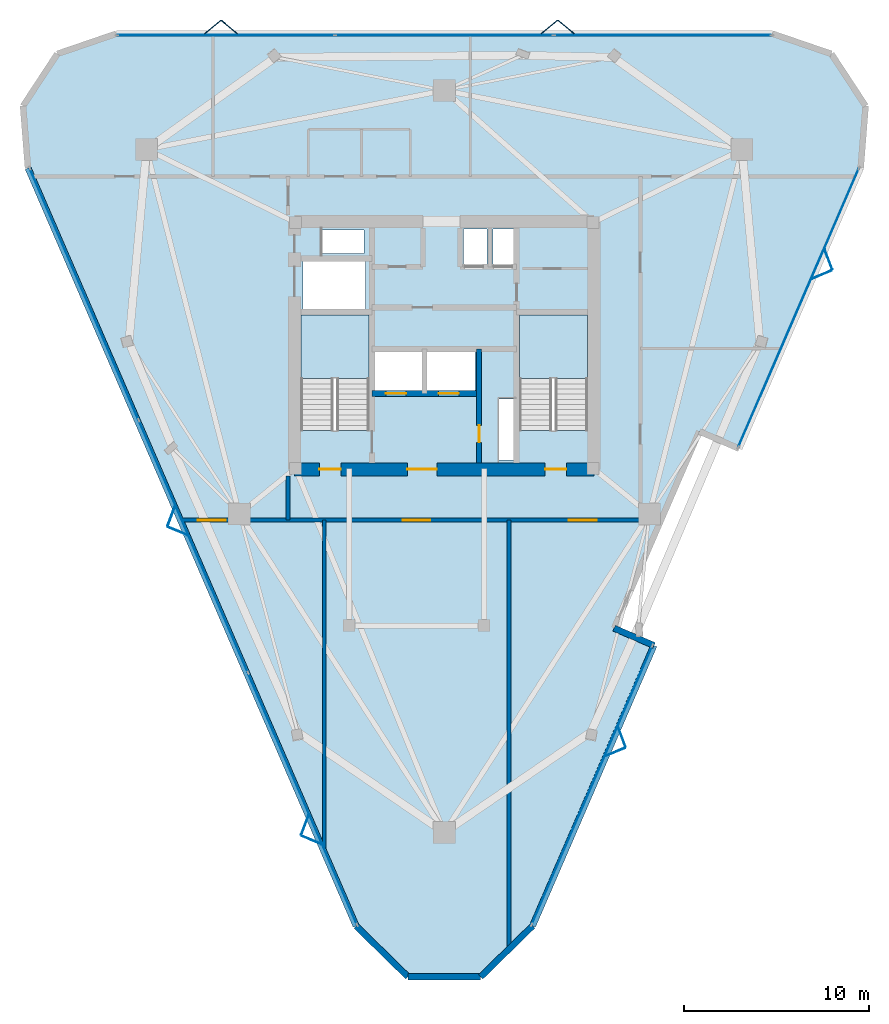
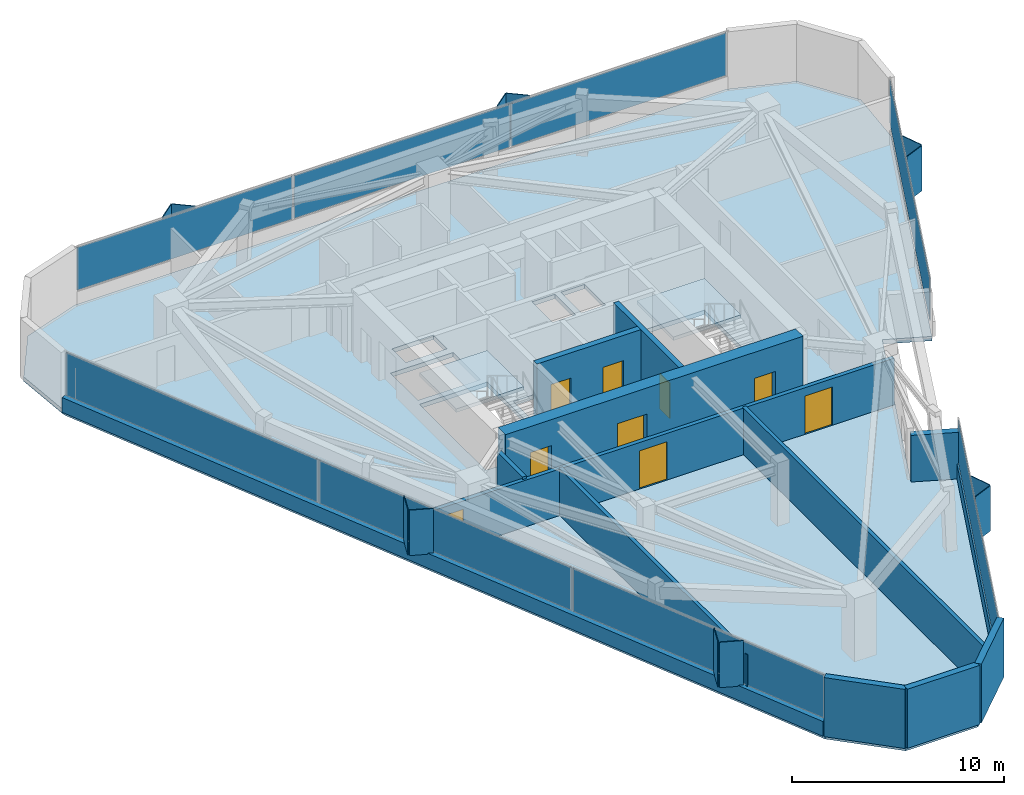
# One storey, part 7 of 10: 20 plates, 13 walls, 9 doors, 3 slabs, 9 openings, 6 elements without a shape of their own.
"""IFC4 building model written with IfcOpenShell, lengths in metres."""

from ifc_helpers import new_model, si_unit, direction, frame, frame_2d, origin, origin_2d, place, context, subcontext, project, spatial, polyline, rectangle, outline, extrude, material, layer, layer_set, type_object, element, fill, aggregate, save


model = new_model("IFC4")

# Units and contexts
model_context = context("Model", 3, precision=1e-05, world=origin(), true_north=direction((0.0, 1.0)))
body_context = subcontext(model_context, "Body", "Model", "MODEL_VIEW")
ifc_project = project(units=[si_unit("LENGTHUNIT", "METRE"), si_unit("AREAUNIT", "SQUARE_METRE"), si_unit("VOLUMEUNIT", "CUBIC_METRE"), si_unit("PLANEANGLEUNIT", "RADIAN"), si_unit("MASSUNIT", "GRAM", prefix="KILO")], contexts=[model_context])

# Site, building, storey
site_placement = place(None, origin())
site = spatial("IfcSite", under=ifc_project, at=site_placement, CompositionType="ELEMENT")
building_placement = place(site_placement, origin())
building = spatial("IfcBuilding", under=site, at=building_placement, Name="Talyreon Biosciences Tower", CompositionType="ELEMENT")
storey_placement = place(building_placement, frame((0.0, 0.0, 260.800048828125)))
storey = spatial("IfcBuildingStorey", under=building, at=storey_placement, Name="L69", CompositionType="ELEMENT", Elevation=260.800048828125)

# Curtain wall, plates
ifc_material_1 = material(Name="Thermally broken aluminium and low-E glazing", Category="aluminium")
ifc_layer_1 = layer(ifc_material_1, 0.205078125)
ifc_layer_set_1 = layer_set([ifc_layer_1], Name="Thermally broken aluminium and low-E glazing")
curtain_wall_type = type_object("IfcCurtainWallType", Name="CurtainWall_SkyGardenLoggia", PredefinedType="NOTDEFINED", material=ifc_layer_set_1)
curtain_wall_1_placement = place(storey_placement, origin())
curtain_wall_1 = element("IfcCurtainWall", 1, at=curtain_wall_1_placement, inside=storey, type_object=curtain_wall_type, Name="L69 Unitised Curtain Wall FCW-L69-03", PredefinedType="NOTDEFINED")
ifc_material_2 = material(Name="Acoustic laminated low-E insulated glazing", Category="glass")
ifc_layer_2 = layer(ifc_material_2, 0.0380859375)
ifc_layer_set_2 = layer_set([ifc_layer_2], Name="Acoustic laminated low-E insulated glazing")
plate_type_1 = type_object("IfcPlateType", Name="CWGlazingPanel_38", PredefinedType="CURTAIN_PANEL", material=ifc_layer_set_2)
plate_1_placement = place(storey_placement, frame((54.193115234375, 84.77099609375, 0.875), z_axis=(0.0, 0.0, 1.0), x_axis=(1.0, 0.0, 0.0)))
plate_1 = element("IfcPlate", 2, at=plate_1_placement, type_object=plate_type_1, Name="CW7 panel 1.1", PredefinedType="CURTAIN_PANEL", context=body_context, shape_type="SweptSolid", body=[
    extrude(rectangle(XDim=11.713134765625, YDim=0.0380859375, at=origin_2d()), origin(), (0.0, 0.0, 1.0), 2.4599609375),
])
plate_2_placement = place(storey_placement, frame((66.0, 84.77099609375, 0.875), z_axis=(0.0, 0.0, 1.0), x_axis=(1.0, 0.0, 0.0)))
plate_2 = element("IfcPlate", 3, at=plate_2_placement, type_object=plate_type_1, Name="CW7 panel 2.1", PredefinedType="CURTAIN_PANEL", context=body_context, shape_type="SweptSolid", body=[
    extrude(rectangle(XDim=11.750732421875, YDim=0.0380859375, at=origin_2d()), origin(), (0.0, 0.0, 1.0), 2.4599609375),
])
plate_3_placement = place(storey_placement, frame((77.806884765625, 84.77099609375, 0.875), z_axis=(0.0, 0.0, 1.0), x_axis=(1.0, 0.0, 0.0)))
plate_3 = element("IfcPlate", 4, at=plate_3_placement, type_object=plate_type_1, Name="CW7 panel 3.1", PredefinedType="CURTAIN_PANEL", context=body_context, shape_type="SweptSolid", body=[
    extrude(rectangle(XDim=11.713134765625, YDim=0.0380859375, at=origin_2d()), origin(), (0.0, 0.0, 1.0), 2.4599609375),
])
aggregate(curtain_wall_1, [plate_1, plate_2, plate_3])

# Curtain wall, plate
curtain_wall_2_placement = place(storey_placement, origin())
curtain_wall_2 = element("IfcCurtainWall", 5, at=curtain_wall_2_placement, inside=storey, type_object=curtain_wall_type, Name="L69 Unitised Curtain Wall FCW-L69-07", PredefinedType="NOTDEFINED")
plate_4_placement = place(storey_placement, frame((85.154541015625, 70.032958984375, 0.875), z_axis=(0.0, 0.0, 1.0), x_axis=(-0.397218746753, -0.917723960256, 0.0)))
plate_4 = element("IfcPlate", 6, at=plate_4_placement, type_object=plate_type_1, Name="CW7 panel 1.1", PredefinedType="CURTAIN_PANEL", context=body_context, shape_type="SweptSolid", body=[
    extrude(rectangle(XDim=16.378173828125, YDim=0.0380859375, at=origin_2d()), origin(), (0.0, 0.0, 1.0), 2.4599609375),
])
aggregate(curtain_wall_2, [plate_4])

curtain_wall_3_placement = place(storey_placement, origin())
curtain_wall_3 = element("IfcCurtainWall", 7, at=curtain_wall_3_placement, inside=storey, type_object=curtain_wall_type, Name="L69 Unitised Curtain Wall FCW-L69-11", PredefinedType="NOTDEFINED")
plate_5_placement = place(storey_placement, frame((73.9814453125, 44.21923828125, 0.875), z_axis=(0.0, 0.0, 1.0), x_axis=(-0.397220952302, -0.917723005624, 0.0)))
plate_5 = element("IfcPlate", 8, at=plate_5_placement, type_object=plate_type_1, Name="CW7 panel 1.1", PredefinedType="CURTAIN_PANEL", context=body_context, shape_type="SweptSolid", body=[
    extrude(rectangle(XDim=16.378173828125, YDim=0.0380859375, at=origin_2d()), origin(), (0.0, 0.0, 1.0), 2.4599609375),
])
aggregate(curtain_wall_3, [plate_5])

# Curtain wall, plates
curtain_wall_4_placement = place(storey_placement, origin())
curtain_wall_4 = element("IfcCurtainWall", 9, at=curtain_wall_4_placement, inside=storey, type_object=curtain_wall_type, Name="L69 Unitised Curtain Wall FCW-L69-15", PredefinedType="NOTDEFINED")
plate_6_placement = place(storey_placement, frame((58.33740234375, 43.482666015625, 0.875), z_axis=(0.0, 0.0, 1.0), x_axis=(-0.397220725706, 0.917723103703, 0.0)))
plate_6 = element("IfcPlate", 10, at=plate_6_placement, type_object=plate_type_1, Name="CW7 panel 1.1", PredefinedType="CURTAIN_PANEL", context=body_context, shape_type="SweptSolid", body=[
    extrude(rectangle(XDim=14.77294921875, YDim=0.0380859375, at=origin_2d()), origin(), (0.0, 0.0, 1.0), 2.4599609375),
])
plate_7_placement = place(storey_placement, frame((52.431884765625, 57.126220703125, 0.875), z_axis=(0.0, 0.0, 1.0), x_axis=(-0.397220725706, 0.917723103703, 0.0)))
plate_7 = element("IfcPlate", 11, at=plate_7_placement, type_object=plate_type_1, Name="CW7 panel 2.1", PredefinedType="CURTAIN_PANEL", context=body_context, shape_type="SweptSolid", body=[
    extrude(rectangle(XDim=14.810546875, YDim=0.0380859375, at=origin_2d()), origin(), (0.0, 0.0, 1.0), 2.4599609375),
])
plate_8_placement = place(storey_placement, frame((46.526611328125, 70.76953125, 0.875), z_axis=(0.0, 0.0, 1.0), x_axis=(-0.397220725706, 0.917723103703, 0.0)))
plate_8 = element("IfcPlate", 12, at=plate_8_placement, type_object=plate_type_1, Name="CW7 panel 3.1", PredefinedType="CURTAIN_PANEL", context=body_context, shape_type="SweptSolid", body=[
    extrude(rectangle(XDim=14.77294921875, YDim=0.0380859375, at=origin_2d()), origin(), (0.0, 0.0, 1.0), 2.4599609375),
])
aggregate(curtain_wall_4, [plate_6, plate_7, plate_8])

# Slab
ifc_material_3 = material(Name="Concrete C40/50", Category="concrete")
ifc_layer_3 = layer(ifc_material_3, 0.25)
ifc_layer_set_3 = layer_set([ifc_layer_3], Name="Concrete C40/50")
slab_type_1 = type_object("IfcSlabType", Name="DryLabFloorSlab_250", PredefinedType="FLOOR", material=ifc_layer_set_3)
slab_1_placement = place(storey_placement, frame((0.0, 0.0, -0.25)))
element("IfcSlab", 13, at=slab_1_placement, inside=storey, type_object=slab_type_1, Name="L69 Structural Floor Slab", PredefinedType="FLOOR", context=body_context, shape_type="SweptSolid", body=[
    extrude(outline(polyline([(43.489501953125, 77.58544921875), (43.224853515625, 80.94384765625), (45.07421875, 83.759765625), (48.261474609375, 84.85107421875), (83.738525390625, 84.85107421875), (86.92578125, 83.759765625), (88.775146484375, 80.94384765625), (88.510498046875, 77.58544921875), (81.9453125, 62.4169921875), (79.788818359375, 63.3505859375), (75.180908203125, 52.705078125), (77.33740234375, 51.771484375), (70.772216796875, 36.603271484375), (67.964599609375, 33.854248046875), (64.035400390625, 33.854248046875), (61.227783203125, 36.603271484375), (43.489501953125, 77.58544921875)]), holes=[polyline([(69.820068359375, 65.10009765625), (69.820068359375, 61.800048828125), (68.9599609375, 61.800048828125), (68.9599609375, 65.10009765625), (69.820068359375, 65.10009765625)]), polyline([(61.929931640625, 69.64990234375), (61.929931640625, 63.407958984375), (58.25, 63.407958984375), (58.25, 69.64990234375), (61.929931640625, 69.64990234375)]), polyline([(73.75, 69.64990234375), (73.75, 63.407958984375), (70.070068359375, 63.407958984375), (70.070068359375, 69.64990234375), (73.75, 69.64990234375)]), polyline([(64.800048828125, 67.64990234375), (64.800048828125, 65.550048828125), (62.199951171875, 65.550048828125), (62.199951171875, 67.64990234375), (64.800048828125, 67.64990234375)]), polyline([(67.64990234375, 67.64990234375), (67.64990234375, 65.550048828125), (65.050048828125, 65.550048828125), (65.050048828125, 67.64990234375), (67.64990234375, 67.64990234375)]), polyline([(61.75, 72.550048828125), (61.75, 69.97998046875), (58.35009765625, 69.97998046875), (58.35009765625, 72.550048828125), (61.75, 72.550048828125)]), polyline([(68.300048828125, 74.300048828125), (68.300048828125, 72.35009765625), (67.050048828125, 72.35009765625), (67.050048828125, 74.300048828125), (68.300048828125, 74.300048828125)]), polyline([(69.919921875, 72.35009765625), (68.6201171875, 72.35009765625), (68.6201171875, 74.300048828125), (69.919921875, 74.300048828125), (69.919921875, 72.35009765625)]), polyline([(61.64990234375, 72.9599609375), (59.39990234375, 72.9599609375), (59.39990234375, 74.25), (61.64990234375, 74.25), (61.64990234375, 72.9599609375)])]), origin(), (0.0, 0.0, 1.0), 0.25),
])

# Plates
ifc_material_4 = material(Name="Ivory GFRC sunshade panel", Category="concrete")
ifc_layer_4 = layer(ifc_material_4, 0.044921875)
ifc_layer_set_4 = layer_set([ifc_layer_4], Name="Ivory GFRC sunshade panel")
plate_type_2 = type_object("IfcPlateType", Name="FoldedVSunshade_NorthFace_SUNSHADE", PredefinedType="USERDEFINED", material=ifc_layer_set_4)
for number, where, z_axis, x_axis, name in (
    (14, (53.4814453125, 85.2109375, 0.7900390625), (0.0, 0.0, 1.0), (0.771624583388, 0.636078220278, 0.0), "L69 Folded V-Sunshade Panel 03.01L"),
    (15, (54.381591796875, 85.2109375, 0.7900390625), (0.0, 0.0, 1.0), (0.771624583388, -0.636078220278, 0.0), "L69 Folded V-Sunshade Panel 03.01R"),
    (16, (71.681396484375, 85.2109375, 0.7900390625), (0.0, 0.0, 1.0), (0.771624583388, 0.636078220278, 0.0), "L69 Folded V-Sunshade Panel 03.02L"),
    (17, (72.58154296875, 85.2109375, 0.7900390625), (0.0, 0.0, 1.0), (0.771624583388, -0.636078220278, 0.0), "L69 Folded V-Sunshade Panel 03.02R"),
):
    element("IfcPlate", number, at=place(storey_placement, frame(where, z_axis=z_axis, x_axis=x_axis)), inside=storey, type_object=plate_type_2, Name=name, ObjectType="SUNSHADE", PredefinedType="USERDEFINED", context=body_context, shape_type="SweptSolid", body=[
        extrude(rectangle(XDim=1.14990234375, YDim=0.044921875, at=origin_2d()), origin(), (0.0, 0.0, 1.0), 2.610107421875),
    ])
ifc_layer_5 = layer(ifc_material_4, 0.044921875)
ifc_layer_set_5 = layer_set([ifc_layer_5], Name="Ivory GFRC sunshade panel")
plate_type_3 = type_object("IfcPlateType", Name="FoldedVSunshade_SunFace_SUNSHADE", PredefinedType="USERDEFINED", material=ifc_layer_set_5)
for number, where, z_axis, x_axis, name in (
    (18, (86.767578125, 72.65185546875, 0.7900390625), (0.0, 0.0, 1.0), (0.351776298264, -0.936084096639, 0.0), "L69 Folded V-Sunshade Panel 07.01L"),
    (19, (86.409912109375, 71.825927734375, 0.7900390625), (0.0, 0.0, 1.0), (-0.923237043738, -0.384230869491, 0.0), "L69 Folded V-Sunshade Panel 07.01R"),
    (20, (75.594482421875, 46.837890625, 0.7900390625), (0.0, 0.0, 1.0), (0.351759960461, -0.936090236151, 0.0), "L69 Folded V-Sunshade Panel 11.01L"),
    (21, (75.23681640625, 46.011962890625, 0.7900390625), (0.0, 0.0, 1.0), (-0.923243749691, -0.384214755907, 0.0), "L69 Folded V-Sunshade Panel 11.01R"),
    (22, (58.823974609375, 41.250732421875, 0.7900390625), (0.0, 0.0, 1.0), (-0.923243749691, 0.384214755907, 0.0), "L69 Folded V-Sunshade Panel 15.01L"),
    (23, (58.46630859375, 42.076904296875, 0.7900390625), (0.0, 0.0, 1.0), (0.351759960461, 0.936090236151, 0.0), "L69 Folded V-Sunshade Panel 15.01R"),
    (24, (51.594482421875, 57.953369140625, 0.7900390625), (0.0, 0.0, 1.0), (-0.923243749691, 0.384214755907, 0.0), "L69 Folded V-Sunshade Panel 15.02L"),
    (25, (51.237060546875, 58.779296875, 0.7900390625), (0.0, 0.0, 1.0), (0.351759960461, 0.936090236151, 0.0), "L69 Folded V-Sunshade Panel 15.02R"),
):
    element("IfcPlate", number, at=place(storey_placement, frame(where, z_axis=z_axis, x_axis=x_axis)), inside=storey, type_object=plate_type_3, Name=name, ObjectType="SUNSHADE", PredefinedType="USERDEFINED", context=body_context, shape_type="SweptSolid", body=[
        extrude(rectangle(XDim=1.14990234375, YDim=0.044921875, at=origin_2d()), origin(), (0.0, 0.0, 1.0), 2.610107421875),
    ])

# Stair, slab
stair_type = type_object("IfcStairType", Name="DoglegEscapeStair_3650", PredefinedType="HALF_TURN_STAIR", material=ifc_material_3)
stair_1_placement = place(storey_placement, origin())
stair_1 = element("IfcStair", 26, at=stair_1_placement, inside=storey, type_object=stair_type, Name="L69 Core Escape Stair 1", PredefinedType="HALF_TURN_STAIR")
ifc_layer_6 = layer(ifc_material_3, 0.199951171875)
ifc_layer_set_6 = layer_set([ifc_layer_6], Name="Concrete C40/50")
slab_type_2 = type_object("IfcSlabType", Name="StairLandingSlab_200", PredefinedType="LANDING", material=ifc_layer_set_6)
slab_2_placement = place(storey_placement, frame((0.0, 0.0, 1.625)))
slab_2 = element("IfcSlab", 27, at=slab_2_placement, type_object=slab_type_2, Name="ST-1 landing 1", PredefinedType="LANDING", context=body_context, shape_type="SweptSolid", body=[
    extrude(outline(polyline([(61.929931640625, 66.199951171875), (61.929931640625, 69.64990234375), (58.25, 69.64990234375), (58.25, 66.199951171875), (61.929931640625, 66.199951171875)])), origin(), (0.0, 0.0, 1.0), 0.199951171875),
])
aggregate(stair_1, [slab_2])

stair_2_placement = place(storey_placement, origin())
stair_2 = element("IfcStair", 28, at=stair_2_placement, inside=storey, type_object=stair_type, Name="L69 Core Escape Stair 2", PredefinedType="HALF_TURN_STAIR")
slab_3_placement = place(storey_placement, frame((0.0, 0.0, 1.625)))
slab_3 = element("IfcSlab", 29, at=slab_3_placement, type_object=slab_type_2, Name="ST-2 landing 1", PredefinedType="LANDING", context=body_context, shape_type="SweptSolid", body=[
    extrude(outline(polyline([(73.75, 66.199951171875), (73.75, 69.64990234375), (70.070068359375, 69.64990234375), (70.070068359375, 66.199951171875), (73.75, 66.199951171875)])), origin(), (0.0, 0.0, 1.0), 0.199951171875),
])
aggregate(stair_2, [slab_3])

# Walls
ifc_material_5 = material(Name="Gypsum fireboard acoustic stud", Category="gypsum")
ifc_layer_7 = layer(ifc_material_5, 0.199951171875)
ifc_layer_set_7 = layer_set([ifc_layer_7], Name="Gypsum fireboard acoustic stud")
wall_type_1 = type_object("IfcWallType", Name="ChemControlPartition_200", PredefinedType="PARTITIONING", material=ifc_layer_set_7)
wall_1_placement = place(storey_placement, frame((59.5, 40.80908203125, 0.0), z_axis=(0.0, 0.0, 1.0), x_axis=(0.0, 1.0, 0.0)))
element("IfcWall", 30, at=wall_1_placement, inside=storey, type_object=wall_type_1, Name="L69 Interior Wall IW-L69-SDIV1", PredefinedType="PARTITIONING", context=body_context, shape_type="SweptSolid", body=[
    extrude(rectangle(XDim=17.740966796875, YDim=0.199951171875, at=frame_2d((8.87060546875, 0.0))), origin(), (0.0, 0.0, 1.0), 2.679931640625),
])
wall_2_placement = place(storey_placement, frame((69.5, 35.4765625, 0.0), z_axis=(0.0, 0.0, 1.0), x_axis=(0.0, 1.0, 0.0)))
element("IfcWall", 31, at=wall_2_placement, inside=storey, type_object=wall_type_1, Name="L69 Interior Wall IW-L69-SDIV2", PredefinedType="PARTITIONING", context=body_context, shape_type="SweptSolid", body=[
    extrude(rectangle(XDim=23.073486328125, YDim=0.199951171875, at=frame_2d((11.53662109375, 0.0))), origin(), (0.0, 0.0, 1.0), 2.679931640625),
])

# Wall, opening, door
ifc_material_6 = material(Name="Concrete C50/60", Category="concrete")
ifc_layer_8 = layer(ifc_material_6, 0.280029296875)
ifc_layer_set_8 = layer_set([ifc_layer_8], Name="Concrete C50/60")
wall_type_2 = type_object("IfcWallType", Name="CoreShearWall_280", PredefinedType="SHEAR", material=ifc_layer_set_8)
wall_3_placement = place(storey_placement, frame((67.8798828125, 61.64990234375, 0.0), z_axis=(0.0, 0.0, 1.0), x_axis=(0.0, 1.0, 0.0)))
wall_3 = element("IfcWall", 32, at=wall_3_placement, inside=storey, type_object=wall_type_2, Name="L69 Core Shaft Wall SWFFE", PredefinedType="SHEAR", context=body_context, shape_type="SweptSolid", body=[
    extrude(rectangle(XDim=6.150146484375, YDim=0.280029296875, at=frame_2d((3.0751953125, 0.0))), origin(), (0.0, 0.0, 1.0), 3.64990234375),
])
opening_1_placement = place(wall_3_placement, frame((1.10009765625, 0.0, 0.0)))
opening_1 = element("IfcOpeningElement", 33, at=opening_1_placement, cuts=wall_3, Name="Opening DR-L69-RSE", PredefinedType="OPENING", context=body_context, shape_type="SweptSolid", body=[
    extrude(rectangle(XDim=0.919921875, YDim=2.050048828125, at=frame_2d((0.4599609375, 1.02490234375))), frame((0.0, 0.14990234375, 0.0), z_axis=(0.0, -1.0, 0.0), x_axis=(1.0, 0.0, 0.0)), (0.0, 0.0, 1.0), 0.300048828125),
])
ifc_material_7 = material(Name="Painted steel fire-rated riser door", Category="steel")
door_type_1 = type_object("IfcDoorType", Name="RiserPlantAccessDoor_920x2050", OperationType="NOTDEFINED", PredefinedType="DOOR", material=ifc_material_7)
door_1_placement = place(opening_1_placement, origin())
door_1 = element("IfcDoor", 34, at=door_1_placement, inside=storey, type_object=door_type_1, Name="L69 Core Door DR-L69-RSE", OperationType="SINGLE_SWING_RIGHT", OverallHeight=2.050048828125, OverallWidth=0.919921875, PredefinedType="DOOR", context=body_context, shape_type="SweptSolid", body=[
    extrude(rectangle(XDim=0.919921875, YDim=2.050048828125, at=frame_2d((0.4599609375, 1.02490234375))), frame((0.0, 0.02490234375, 0.0), z_axis=(0.0, -1.0, 0.0), x_axis=(1.0, 0.0, 0.0)), (0.0, 0.0, 1.0), 0.050048828125),
])
fill(opening_1, door_1)

# Wall, openings, doors
ifc_layer_9 = layer(ifc_material_6, 0.320068359375)
ifc_layer_set_9 = layer_set([ifc_layer_9], Name="Concrete C50/60")
wall_type_3 = type_object("IfcWallType", Name="CoreShearWall_320", PredefinedType="SHEAR", material=ifc_layer_set_9)
wall_4_placement = place(storey_placement, frame((62.090087890625, 65.39990234375, 0.0), z_axis=(0.0, 0.0, 1.0), x_axis=(1.0, 0.0, 0.0)))
wall_4 = element("IfcWall", 35, at=wall_4_placement, inside=storey, type_object=wall_type_3, Name="L69 Core Shaft Wall SWFFN", PredefinedType="SHEAR", context=body_context, shape_type="SweptSolid", body=[
    extrude(rectangle(XDim=5.789794921875, YDim=0.320068359375, at=frame_2d((2.89501953125, 0.0))), origin(), (0.0, 0.0, 1.0), 3.64990234375),
])
opening_2_placement = place(wall_4_placement, frame((0.75, 0.0, 0.0)))
opening_2 = element("IfcOpeningElement", 36, at=opening_2_placement, cuts=wall_4, Name="Opening LD-L69-FL1", PredefinedType="OPENING", context=body_context, shape_type="SweptSolid", body=[
    extrude(rectangle(XDim=1.10009765625, YDim=2.199951171875, at=frame_2d((0.550048828125, 1.10009765625))), frame((0.0, 0.169921875, 0.0), z_axis=(0.0, -1.0, 0.0), x_axis=(1.0, 0.0, 0.0)), (0.0, 0.0, 1.0), 0.340087890625),
])
opening_3_placement = place(wall_4_placement, frame((3.60009765625, 0.0, 0.0)))
opening_3 = element("IfcOpeningElement", 37, at=opening_3_placement, cuts=wall_4, Name="Opening LD-L69-FL2", PredefinedType="OPENING", context=body_context, shape_type="SweptSolid", body=[
    extrude(rectangle(XDim=1.10009765625, YDim=2.199951171875, at=frame_2d((0.550048828125, 1.10009765625))), frame((0.0, 0.169921875, 0.0), z_axis=(0.0, -1.0, 0.0), x_axis=(1.0, 0.0, 0.0)), (0.0, 0.0, 1.0), 0.340087890625),
])
ifc_material_8 = material(Name="Brushed stainless-steel lift landing door", Category="steel")
door_type_2 = type_object("IfcDoorType", Name="LiftSlidingLandingDoor_1100x2200", OperationType="SLIDING_TO_LEFT", PredefinedType="DOOR", material=ifc_material_8)
door_2_placement = place(opening_2_placement, origin())
door_2 = element("IfcDoor", 38, at=door_2_placement, inside=storey, type_object=door_type_2, Name="L69 Core Door LD-L69-FL1", OperationType="SLIDING_TO_LEFT", OverallHeight=2.199951171875, OverallWidth=1.10009765625, PredefinedType="DOOR", context=body_context, shape_type="SweptSolid", body=[
    extrude(rectangle(XDim=1.10009765625, YDim=2.199951171875, at=frame_2d((0.550048828125, 1.10009765625))), frame((0.0, 0.02490234375, 0.0), z_axis=(0.0, -1.0, 0.0), x_axis=(1.0, 0.0, 0.0)), (0.0, 0.0, 1.0), 0.050048828125),
])
fill(opening_2, door_2)
door_3_placement = place(opening_3_placement, origin())
door_3 = element("IfcDoor", 39, at=door_3_placement, inside=storey, type_object=door_type_2, Name="L69 Core Door LD-L69-FL2", OperationType="SLIDING_TO_LEFT", OverallHeight=2.199951171875, OverallWidth=1.10009765625, PredefinedType="DOOR", context=body_context, shape_type="SweptSolid", body=[
    extrude(rectangle(XDim=1.10009765625, YDim=2.199951171875, at=frame_2d((0.550048828125, 1.10009765625))), frame((0.0, 0.02490234375, 0.0), z_axis=(0.0, -1.0, 0.0), x_axis=(1.0, 0.0, 0.0)), (0.0, 0.0, 1.0), 0.050048828125),
])
fill(opening_3, door_3)

ifc_layer_10 = layer(ifc_material_6, 0.699951171875)
ifc_layer_set_10 = layer_set([ifc_layer_10], Name="Concrete C50/60")
wall_type_4 = type_object("IfcWallType", Name="CoreShearWall_700", PredefinedType="SHEAR", material=ifc_layer_set_10)
wall_5_placement = place(storey_placement, frame((57.89990234375, 61.300048828125, 0.0), z_axis=(0.0, 0.0, 1.0), x_axis=(1.0, 0.0, 0.0)))
wall_5 = element("IfcWall", 40, at=wall_5_placement, inside=storey, type_object=wall_type_4, Name="L69 Core Shear Wall S", PredefinedType="SHEAR", context=body_context, shape_type="SweptSolid", body=[
    extrude(rectangle(XDim=16.2001953125, YDim=0.699951171875, at=frame_2d((8.10009765625, 0.0))), origin(), (0.0, 0.0, 1.0), 3.64990234375),
])
opening_4_placement = place(wall_5_placement, frame((1.35009765625, 0.0, 0.0)))
opening_4 = element("IfcOpeningElement", 41, at=opening_4_placement, cuts=wall_5, Name="Opening DR-L69-ST1", PredefinedType="OPENING", context=body_context, shape_type="SweptSolid", body=[
    extrude(rectangle(XDim=1.14990234375, YDim=2.14990234375, at=frame_2d((0.574951171875, 1.074951171875))), frame((0.0, 0.35986328125, 0.0), z_axis=(0.0, -1.0, 0.0), x_axis=(1.0, 0.0, 0.0)), (0.0, 0.0, 1.0), 0.719970703125),
])
opening_5_placement = place(wall_5_placement, frame((6.10009765625, 0.0, 0.0)))
opening_5 = element("IfcOpeningElement", 42, at=opening_5_placement, cuts=wall_5, Name="Opening DR-L69-FFL", PredefinedType="OPENING", context=body_context, shape_type="SweptSolid", body=[
    extrude(rectangle(XDim=1.60009765625, YDim=2.14990234375, at=frame_2d((0.800048828125, 1.074951171875))), frame((0.0, 0.35986328125, 0.0), z_axis=(0.0, -1.0, 0.0), x_axis=(1.0, 0.0, 0.0)), (0.0, 0.0, 1.0), 0.719970703125),
])
opening_6_placement = place(wall_5_placement, frame((13.550048828125, 0.0, 0.0)))
opening_6 = element("IfcOpeningElement", 43, at=opening_6_placement, cuts=wall_5, Name="Opening DR-L69-ST2", PredefinedType="OPENING", context=body_context, shape_type="SweptSolid", body=[
    extrude(rectangle(XDim=1.14990234375, YDim=2.14990234375, at=frame_2d((0.574951171875, 1.074951171875))), frame((0.0, 0.35986328125, 0.0), z_axis=(0.0, -1.0, 0.0), x_axis=(1.0, 0.0, 0.0)), (0.0, 0.0, 1.0), 0.719970703125),
])
ifc_material_9 = material(Name="Painted steel smoke-seal fire door", Category="steel")
door_type_3 = type_object("IfcDoorType", Name="FirefightingLobbyDoubleDoor_1600x2150", OperationType="DOUBLE_DOOR_SINGLE_SWING", PredefinedType="DOOR", material=ifc_material_9)
door_4_placement = place(opening_5_placement, origin())
door_4 = element("IfcDoor", 44, at=door_4_placement, inside=storey, type_object=door_type_3, Name="L69 Core Door DR-L69-FFL", OperationType="DOUBLE_DOOR_SINGLE_SWING", OverallHeight=2.14990234375, OverallWidth=1.60009765625, PredefinedType="DOOR", context=body_context, shape_type="SweptSolid", body=[
    extrude(rectangle(XDim=1.60009765625, YDim=2.14990234375, at=frame_2d((0.800048828125, 1.074951171875))), frame((0.0, 0.02490234375, 0.0), z_axis=(0.0, -1.0, 0.0), x_axis=(1.0, 0.0, 0.0)), (0.0, 0.0, 1.0), 0.050048828125),
])
fill(opening_5, door_4)
ifc_material_10 = material(Name="Painted steel fire door", Category="steel")
door_type_4 = type_object("IfcDoorType", Name="StairShaftFireDoor_1150x2150", OperationType="NOTDEFINED", PredefinedType="DOOR", material=ifc_material_10)
door_5_placement = place(opening_4_placement, origin())
door_5 = element("IfcDoor", 45, at=door_5_placement, inside=storey, type_object=door_type_4, Name="L69 Core Door DR-L69-ST1", OperationType="SINGLE_SWING_LEFT", OverallHeight=2.14990234375, OverallWidth=1.14990234375, PredefinedType="DOOR", context=body_context, shape_type="SweptSolid", body=[
    extrude(rectangle(XDim=1.14990234375, YDim=2.14990234375, at=frame_2d((0.574951171875, 1.074951171875))), frame((0.0, 0.02490234375, 0.0), z_axis=(0.0, -1.0, 0.0), x_axis=(1.0, 0.0, 0.0)), (0.0, 0.0, 1.0), 0.050048828125),
])
fill(opening_4, door_5)
door_6_placement = place(opening_6_placement, origin())
door_6 = element("IfcDoor", 46, at=door_6_placement, inside=storey, type_object=door_type_4, Name="L69 Core Door DR-L69-ST2", OperationType="SINGLE_SWING_RIGHT", OverallHeight=2.14990234375, OverallWidth=1.14990234375, PredefinedType="DOOR", context=body_context, shape_type="SweptSolid", body=[
    extrude(rectangle(XDim=1.14990234375, YDim=2.14990234375, at=frame_2d((0.574951171875, 1.074951171875))), frame((0.0, 0.02490234375, 0.0), z_axis=(0.0, -1.0, 0.0), x_axis=(1.0, 0.0, 0.0)), (0.0, 0.0, 1.0), 0.050048828125),
])
fill(opening_6, door_6)

ifc_layer_11 = layer(ifc_material_5, 0.219970703125)
ifc_layer_set_11 = layer_set([ifc_layer_11], Name="Gypsum fireboard acoustic stud")
wall_type_5 = type_object("IfcWallType", Name="CorridorRatedPartition_220", PredefinedType="PARTITIONING", material=ifc_layer_set_11)
wall_6_placement = place(storey_placement, frame((51.8212890625, 58.550048828125, 0.0), z_axis=(0.0, 0.0, 1.0), x_axis=(1.0, 0.0, 0.0)))
wall_6 = element("IfcWall", 47, at=wall_6_placement, inside=storey, type_object=wall_type_5, Name="L69 Interior Wall IW-L69-COR-S", PredefinedType="PARTITIONING", context=body_context, shape_type="SweptSolid", body=[
    extrude(rectangle(XDim=25.796875, YDim=0.219970703125, at=frame_2d((12.8984375, 0.0))), origin(), (0.0, 0.0, 1.0), 2.679931640625),
])
opening_7_placement = place(wall_6_placement, frame((0.85888671875, 0.0, 0.0)))
opening_7 = element("IfcOpeningElement", 48, at=opening_7_placement, cuts=wall_6, Name="Opening DR-L69-S1A", PredefinedType="OPENING", context=body_context, shape_type="SweptSolid", body=[
    extrude(rectangle(XDim=1.5, YDim=2.199951171875, at=frame_2d((0.75, 1.10009765625))), frame((0.0, 0.119873046875, 0.0), z_axis=(0.0, -1.0, 0.0), x_axis=(1.0, 0.0, 0.0)), (0.0, 0.0, 1.0), 0.239990234375),
])
opening_8_placement = place(wall_6_placement, frame((11.928955078125, 0.0, 0.0)))
opening_8 = element("IfcOpeningElement", 49, at=opening_8_placement, cuts=wall_6, Name="Opening DR-L69-S2A", PredefinedType="OPENING", context=body_context, shape_type="SweptSolid", body=[
    extrude(rectangle(XDim=1.5, YDim=2.199951171875, at=frame_2d((0.75, 1.10009765625))), frame((0.0, 0.119873046875, 0.0), z_axis=(0.0, -1.0, 0.0), x_axis=(1.0, 0.0, 0.0)), (0.0, 0.0, 1.0), 0.239990234375),
])
opening_9_placement = place(wall_6_placement, frame((20.9130859375, 0.0, 0.0)))
opening_9 = element("IfcOpeningElement", 50, at=opening_9_placement, cuts=wall_6, Name="Opening DR-L69-S3A", PredefinedType="OPENING", context=body_context, shape_type="SweptSolid", body=[
    extrude(rectangle(XDim=1.5, YDim=2.199951171875, at=frame_2d((0.75, 1.10009765625))), frame((0.0, 0.119873046875, 0.0), z_axis=(0.0, -1.0, 0.0), x_axis=(1.0, 0.0, 0.0)), (0.0, 0.0, 1.0), 0.239990234375),
])
ifc_material_11 = material(Name="Vision-panel steel laboratory fire door", Category="steel")
door_type_5 = type_object("IfcDoorType", Name="WetLabDoubleLeafDoor_1500x2200", OperationType="DOUBLE_DOOR_SINGLE_SWING", PredefinedType="DOOR", material=ifc_material_11)
door_7_placement = place(opening_7_placement, origin())
door_7 = element("IfcDoor", 51, at=door_7_placement, inside=storey, type_object=door_type_5, Name="L69 Interior Door DR-L69-S1A", OperationType="DOUBLE_DOOR_SINGLE_SWING", OverallHeight=2.199951171875, OverallWidth=1.5, PredefinedType="DOOR", context=body_context, shape_type="SweptSolid", body=[
    extrude(rectangle(XDim=1.5, YDim=2.199951171875, at=frame_2d((0.75, 1.10009765625))), frame((0.0, 0.02490234375, 0.0), z_axis=(0.0, -1.0, 0.0), x_axis=(1.0, 0.0, 0.0)), (0.0, 0.0, 1.0), 0.050048828125),
])
fill(opening_7, door_7)
door_8_placement = place(opening_8_placement, origin())
door_8 = element("IfcDoor", 52, at=door_8_placement, inside=storey, type_object=door_type_5, Name="L69 Interior Door DR-L69-S2A", OperationType="DOUBLE_DOOR_SINGLE_SWING", OverallHeight=2.199951171875, OverallWidth=1.5, PredefinedType="DOOR", context=body_context, shape_type="SweptSolid", body=[
    extrude(rectangle(XDim=1.5, YDim=2.199951171875, at=frame_2d((0.75, 1.10009765625))), frame((0.0, 0.02490234375, 0.0), z_axis=(0.0, -1.0, 0.0), x_axis=(1.0, 0.0, 0.0)), (0.0, 0.0, 1.0), 0.050048828125),
])
fill(opening_8, door_8)
door_9_placement = place(opening_9_placement, origin())
door_9 = element("IfcDoor", 53, at=door_9_placement, inside=storey, type_object=door_type_5, Name="L69 Interior Door DR-L69-S3A", OperationType="DOUBLE_DOOR_SINGLE_SWING", OverallHeight=2.199951171875, OverallWidth=1.5, PredefinedType="DOOR", context=body_context, shape_type="SweptSolid", body=[
    extrude(rectangle(XDim=1.5, YDim=2.199951171875, at=frame_2d((0.75, 1.10009765625))), frame((0.0, 0.02490234375, 0.0), z_axis=(0.0, -1.0, 0.0), x_axis=(1.0, 0.0, 0.0)), (0.0, 0.0, 1.0), 0.050048828125),
])
fill(opening_9, door_9)

# Walls
wall_7_placement = place(storey_placement, frame((57.550048828125, 58.550048828125, 0.0), z_axis=(0.0, 0.0, 1.0), x_axis=(0.0, 1.0, 0.0)))
element("IfcWall", 54, at=wall_7_placement, inside=storey, type_object=wall_type_5, Name="L69 Interior Wall IW-L69-WCAP-S", PredefinedType="PARTITIONING", context=body_context, shape_type="SweptSolid", body=[
    extrude(rectangle(XDim=2.39990234375, YDim=0.219970703125, at=frame_2d((1.199951171875, 0.0))), origin(), (0.0, 0.0, 1.0), 2.829833984375),
])
ifc_material_12 = material(Name="Precast concrete C45/55", Category="concrete")
ifc_layer_12 = layer(ifc_material_12, 0.340087890625)
ifc_layer_set_12 = layer_set([ifc_layer_12], Name="Precast concrete C45/55")
wall_type_6 = type_object("IfcWallType", Name="PrecastConcreteSpandrelWall_340", PredefinedType="STANDARD", material=ifc_layer_set_12)
wall_8_placement = place(storey_placement, frame((75.180908203125, 52.705078125, 0.0), z_axis=(0.0, 0.0, 1.0), x_axis=(0.917693285343, -0.397289609776, 0.0)))
element("IfcWall", 55, at=wall_8_placement, inside=storey, type_object=wall_type_6, Name="L69 Terrace Backing Concrete Wall 10", PredefinedType="STANDARD", context=body_context, shape_type="SweptSolid", body=[
    extrude(rectangle(XDim=2.349853515625, YDim=0.340087890625, at=frame_2d((1.1748046875, 0.0))), origin(), (0.0, 0.0, 1.0), 2.679931640625),
])
wall_9_placement = place(storey_placement, frame((77.33740234375, 51.771484375, 0.0), z_axis=(0.0, 0.0, 1.0), x_axis=(-0.397214835828, -0.917725653013, 0.0)))
element("IfcWall", 56, at=wall_9_placement, inside=storey, type_object=wall_type_6, Name="L69 Expressed Concrete Sill Wall 11", PredefinedType="STANDARD", context=body_context, shape_type="SweptSolid", body=[
    extrude(rectangle(XDim=16.528076171875, YDim=0.340087890625, at=frame_2d((8.26416015625, 0.0))), origin(), (0.0, 0.0, 1.0), 0.849853515625),
])
wall_10_placement = place(storey_placement, frame((70.772216796875, 36.603271484375, 0.0), z_axis=(0.0, 0.0, 1.0), x_axis=(-0.714523367767, -0.699611575744, 0.0)))
element("IfcWall", 57, at=wall_10_placement, inside=storey, type_object=wall_type_6, Name="L69 Rounded-Corner Concrete Pier 12", PredefinedType="STANDARD", context=body_context, shape_type="SweptSolid", body=[
    extrude(rectangle(XDim=3.929443359375, YDim=0.340087890625, at=frame_2d((1.96484375, 0.0))), origin(), (0.0, 0.0, 1.0), 3.39990234375),
])
wall_11_placement = place(storey_placement, frame((67.964599609375, 33.854248046875, 0.0), z_axis=(0.0, 0.0, 1.0), x_axis=(-1.0, 0.0, 0.0)))
element("IfcWall", 58, at=wall_11_placement, inside=storey, type_object=wall_type_6, Name="L69 Rounded-Corner Concrete Pier 13", PredefinedType="STANDARD", context=body_context, shape_type="SweptSolid", body=[
    extrude(rectangle(XDim=3.92919921875, YDim=0.340087890625, at=frame_2d((1.964599609375, 0.0))), origin(), (0.0, 0.0, 1.0), 3.39990234375),
])
wall_12_placement = place(storey_placement, frame((64.035400390625, 33.854248046875, 0.0), z_axis=(0.0, 0.0, 1.0), x_axis=(-0.714523367767, 0.699611575744, 0.0)))
element("IfcWall", 59, at=wall_12_placement, inside=storey, type_object=wall_type_6, Name="L69 Rounded-Corner Concrete Pier 14", PredefinedType="STANDARD", context=body_context, shape_type="SweptSolid", body=[
    extrude(rectangle(XDim=3.929443359375, YDim=0.340087890625, at=frame_2d((1.96484375, 0.0))), origin(), (0.0, 0.0, 1.0), 3.39990234375),
])
wall_13_placement = place(storey_placement, frame((61.227783203125, 36.603271484375, 0.0), z_axis=(0.0, 0.0, 1.0), x_axis=(-0.397217851518, 0.91772434774, 0.0)))
element("IfcWall", 60, at=wall_13_placement, inside=storey, type_object=wall_type_6, Name="L69 Expressed Concrete Sill Wall 15", PredefinedType="STANDARD", context=body_context, shape_type="SweptSolid", body=[
    extrude(rectangle(XDim=44.65625, YDim=0.340087890625, at=frame_2d((22.328125, 0.0))), origin(), (0.0, 0.0, 1.0), 0.849853515625),
])

save(model, "model.ifc")
